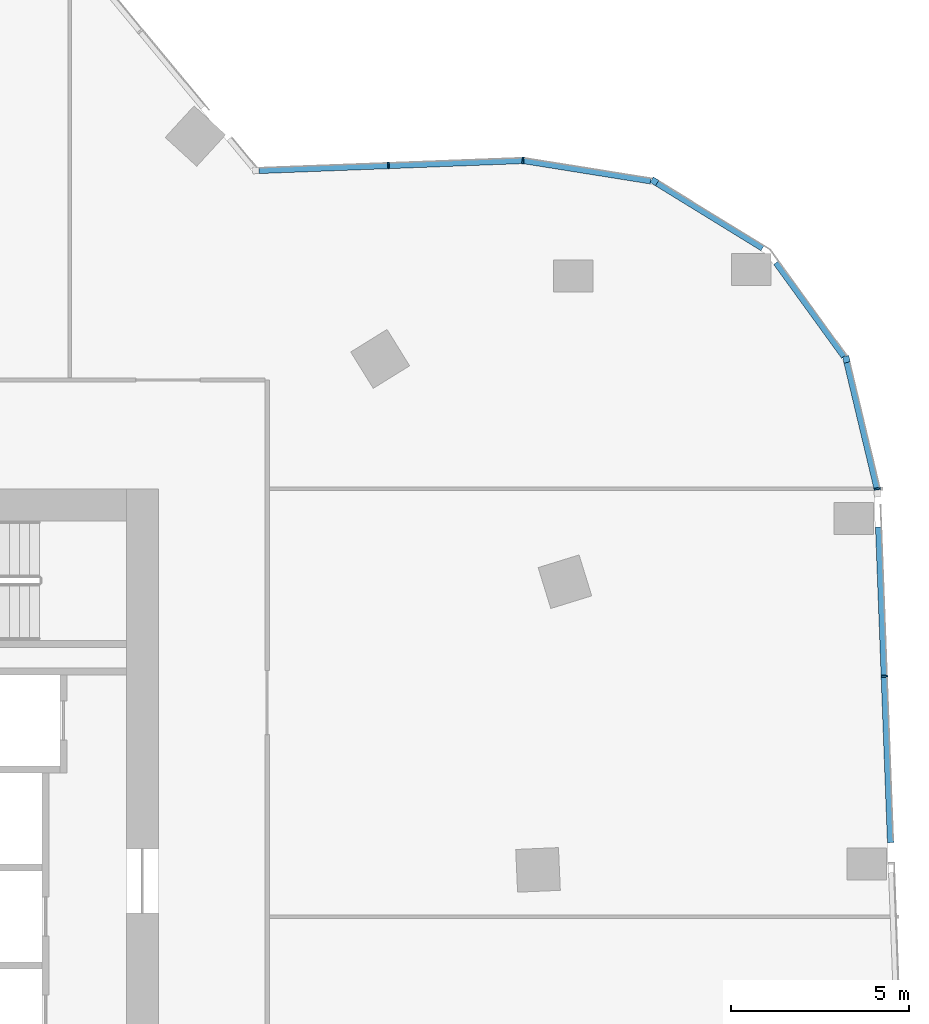
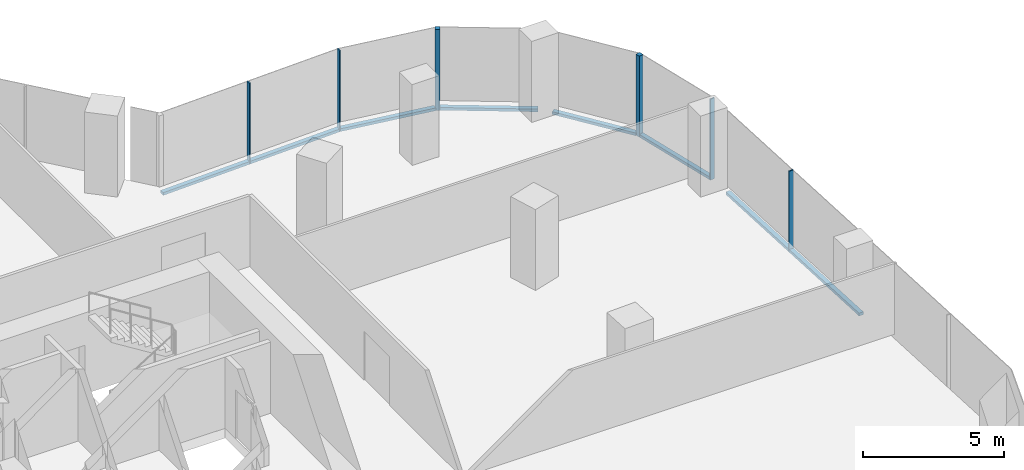
# One storey, part 12 of 24: 12 members, 6 elements without a shape of their own.
"""IFC4 building model written with IfcOpenShell, lengths in metres."""

import ifcopenshell
import ifcopenshell.guid

model = None  # the IFC model being written
_history = None  # IfcOwnerHistory: only IFC2X3 demands one
_inside = {}  # id of a spatial element -> (the spatial element, [elements in it])
_under = {}  # id of a project, library or spatial element -> (it, [spatial elements below it])
_declared = {}  # id of a project -> (the project, [libraries it declares])
_typed = {}  # id of a type object -> (the type object, [elements of that type])
_made_of = {}  # id of a material, layer set ... -> (it, [elements and type objects made of it])


def new_model(schema):
    """Start an empty IFC model of exactly this schema.

    Asked for "IFC4X3", IfcOpenShell would pick the latest addendum, in which some entities
    have other attributes; the version numbers below select the first issue.
    IFC2X3 requires an IfcOwnerHistory on every rooted entity: one is made here for all.
    """
    global model, _history
    if schema == "IFC4X3":
        model = ifcopenshell.file(schema_version=(4, 3, 0, 0))
    else:
        model = ifcopenshell.file(schema=schema)
    _inside.clear()
    _under.clear()
    _declared.clear()
    _typed.clear()
    _made_of.clear()
    _history = None
    if model.schema == "IFC2X3":
        org = make("IfcOrganization", Name="unknown")
        user = make(
            "IfcPersonAndOrganization",
            ThePerson=make("IfcPerson", FamilyName="unknown"),
            TheOrganization=org,
        )
        app = make(
            "IfcApplication",
            ApplicationDeveloper=org,
            Version="unknown",
            ApplicationFullName="unknown",
            ApplicationIdentifier="unknown",
        )
        _history = make(
            "IfcOwnerHistory",
            OwningUser=user,
            OwningApplication=app,
            ChangeAction="ADDED",
            CreationDate=0,
        )
    return model


def make(cls, **values):
    """One entity of the class cls with the attributes given. An attribute that is None is left unset."""
    return model.create_entity(
        cls, **{name: value for name, value in values.items() if value is not None}
    )


def rooted(cls, **values):
    """An entity with a GlobalId (a new one), such as an element, a storey or a relation."""
    return make(cls, GlobalId=ifcopenshell.guid.new(), OwnerHistory=_history, **values)


def si_unit(unit_type, name, prefix=None):
    """IfcSIUnit, for example si_unit("LENGTHUNIT", "METRE", prefix="MILLI")."""
    return make("IfcSIUnit", UnitType=unit_type, Prefix=prefix, Name=name)


def assignment(units):
    """IfcUnitAssignment: the units of a project."""
    return None if units is None else make("IfcUnitAssignment", Units=units)


def point(xyz):
    """IfcCartesianPoint."""
    return None if xyz is None else make("IfcCartesianPoint", Coordinates=xyz)


def direction(xyz):
    """IfcDirection."""
    return None if xyz is None else make("IfcDirection", DirectionRatios=xyz)


def frame(location, z_axis=None, x_axis=None):
    """IfcAxis2Placement3D, a coordinate frame: its origin and axes. An axis left out is left unset."""
    return make(
        "IfcAxis2Placement3D",
        Location=point(location),
        Axis=direction(z_axis),
        RefDirection=direction(x_axis),
    )


def frame_2d(location, x_axis=None):
    """IfcAxis2Placement2D, a coordinate frame in the plane: its origin and x axis."""
    return make(
        "IfcAxis2Placement2D", Location=point(location), RefDirection=direction(x_axis)
    )


def origin():
    """The frame at (0, 0, 0) with its axes left unset."""
    return frame((0.0, 0.0, 0.0))


def origin_2d():
    """The frame at (0, 0) in the plane with its x axis left unset."""
    return frame_2d((0.0, 0.0))


def place(relative_to, where):
    """IfcLocalPlacement: puts the frame where relative to a parent placement (None: the world)."""
    return make(
        "IfcLocalPlacement", PlacementRelTo=relative_to, RelativePlacement=where
    )


def context(
    kind, dimensions, precision=None, world=None, true_north=None, identifier=None
):
    """IfcGeometricRepresentationContext, for example the 3D "Model" context."""
    return make(
        "IfcGeometricRepresentationContext",
        ContextIdentifier=identifier,
        ContextType=kind,
        CoordinateSpaceDimension=dimensions,
        Precision=precision,
        WorldCoordinateSystem=world,
        TrueNorth=true_north,
    )


def subcontext(parent, identifier, kind, view, scale=None):
    """IfcGeometricRepresentationSubContext, for example "Body" below "Model"."""
    return make(
        "IfcGeometricRepresentationSubContext",
        ContextIdentifier=identifier,
        ContextType=kind,
        ParentContext=parent,
        TargetScale=scale,
        TargetView=view,
    )


def project(units=None, contexts=None):
    """IfcProject with its units and contexts."""
    return rooted(
        "IfcProject",
        Name="project",
        RepresentationContexts=contexts,
        UnitsInContext=assignment(units),
    )


def spatial(cls, under=None, at=None, **own):
    """A site, building, storey or space (cls), placed at a placement, below another one or the project."""
    s = rooted(cls, ObjectPlacement=at, **own)
    if under is not None:
        _under.setdefault(under.id(), (under, []))[1].append(s)
    return s


def profile(cls, at=None, kind="AREA", **sizes):
    """A parametric profile (cls). Its sizes go by their IFC names, for example OverallWidth=200.0."""
    return make(cls, ProfileType=kind, Position=at, **sizes)


def rectangle(**sizes):
    """IfcRectangleProfileDef."""
    return profile("IfcRectangleProfileDef", **sizes)


def extrude(swept, where, along, depth):
    """IfcExtrudedAreaSolid: the profile swept, set in the frame where, extruded along a direction by depth."""
    return make(
        "IfcExtrudedAreaSolid",
        SweptArea=swept,
        Position=where,
        ExtrudedDirection=direction(along),
        Depth=depth,
    )


def shape(context_of_items, identifier, shape_type, items):
    """IfcShapeRepresentation: the items that make up one representation, for example the "Body"."""
    return make(
        "IfcShapeRepresentation",
        ContextOfItems=context_of_items,
        RepresentationIdentifier=identifier,
        RepresentationType=shape_type,
        Items=items,
    )


def material(Name=None, Category=None):
    """IfcMaterial."""
    return make("IfcMaterial", Name=Name, Category=Category)


def material_profile(
    of_material, cross_section, Name=None, Category=None, Priority=None
):
    """IfcMaterialProfile: a cross section and its material."""
    return make(
        "IfcMaterialProfile",
        Name=Name,
        Material=of_material,
        Profile=cross_section,
        Priority=Priority,
        Category=Category,
    )


def profile_set(profiles, Name=None, composite=None):
    """IfcMaterialProfileSet."""
    return make(
        "IfcMaterialProfileSet",
        Name=Name,
        MaterialProfiles=profiles,
        CompositeProfile=composite,
    )


def made_of(thing, what):
    """Note that an element or type object is made of a material, layer set ...; save() writes the relation."""
    if what is not None:
        _made_of.setdefault(what.id(), (what, []))[1].append(thing)
    return thing


def type_object(cls, material=None, **own):
    """A type object (cls), such as IfcWallType, which elements share."""
    return made_of(rooted(cls, **own), material)


def element(
    cls,
    number,
    at=None,
    inside=None,
    cuts=None,
    type_object=None,
    material=None,
    context=None,
    identifier="Body",
    shape_type=None,
    held_by="IfcProductDefinitionShape",
    body=None,
    shapes=None,
    **own,
):
    """One element of the class cls, such as IfcWall. Its Tag is "e" and its number.

    at: its placement. inside: the storey or other place that contains it. cuts: it is an
    opening in that element (IfcRelVoidsElement). A single representation is given by context,
    identifier, shape_type and body (its items); several are given by shapes. held_by: the class
    of the entity that holds the representations. save() writes the other relations.
    """
    e = rooted(cls, Tag="e%d" % number, ObjectPlacement=at, **own)
    if body is not None:
        shapes = [shape(context, identifier, shape_type, body)]
    if shapes is not None:
        e.Representation = make(held_by, Representations=shapes)
    if inside is not None:
        _inside.setdefault(inside.id(), (inside, []))[1].append(e)
    if cuts is not None:
        rooted(
            "IfcRelVoidsElement", RelatingBuildingElement=cuts, RelatedOpeningElement=e
        )
    if type_object is not None:
        _typed.setdefault(type_object.id(), (type_object, []))[1].append(e)
    return made_of(e, material)


def aggregate(whole, parts):
    """IfcRelAggregates: a whole, such as a stair, and the parts it consists of."""
    return rooted("IfcRelAggregates", RelatingObject=whole, RelatedObjects=parts)


def save(model, path):
    """Write the relations noted so far, then the file.

    IfcRelAggregates (storeys below a building ...), IfcRelContainedInSpatialStructure (elements
    in a storey), IfcRelDefinesByType, IfcRelAssociatesMaterial and IfcRelDeclares: one each for
    every whole, place, type object, material and project.
    """
    for whole, parts in _under.values():
        aggregate(whole, parts)
    for where, things in _inside.values():
        rooted(
            "IfcRelContainedInSpatialStructure",
            RelatedElements=things,
            RelatingStructure=where,
        )
    for kind, things in _typed.values():
        rooted("IfcRelDefinesByType", RelatedObjects=things, RelatingType=kind)
    for what, things in _made_of.values():
        rooted("IfcRelAssociatesMaterial", RelatedObjects=things, RelatingMaterial=what)
    for by, libraries in _declared.values():
        rooted("IfcRelDeclares", RelatingContext=by, RelatedDefinitions=libraries)
    model.write(path)


model = new_model("IFC4")

# Units and contexts
model_context = context("Model", 3, precision=1e-05, world=origin(), true_north=direction((0.0, 1.0)))
body_context = subcontext(model_context, "Body", "Model", "MODEL_VIEW")
ifc_project = project(units=[si_unit("LENGTHUNIT", "METRE"), si_unit("AREAUNIT", "SQUARE_METRE"), si_unit("VOLUMEUNIT", "CUBIC_METRE"), si_unit("PLANEANGLEUNIT", "RADIAN"), si_unit("MASSUNIT", "GRAM", prefix="KILO")], contexts=[model_context])

# Site, building, storey
site_placement = place(None, origin())
site = spatial("IfcSite", under=ifc_project, at=site_placement, CompositionType="ELEMENT")
building_placement = place(site_placement, origin())
building = spatial("IfcBuilding", under=site, at=building_placement, Name="Orlundy Tower", CompositionType="ELEMENT")
storey_placement = place(building_placement, frame((0.0, 0.0, 174.10009765625)))
storey = spatial("IfcBuildingStorey", under=building, at=storey_placement, Name="L45", CompositionType="ELEMENT", Elevation=174.10009765625)

# Curtain wall, member
ifc_material_1 = material(Name="Aluminium bronze anodised", Category="aluminium")
curtain_wall_type = type_object("IfcCurtainWallType", Name="CW1 wall", PredefinedType="NOTDEFINED", material=ifc_material_1)
curtain_wall_1_placement = place(storey_placement, origin())
curtain_wall_1 = element("IfcCurtainWall", 1, at=curtain_wall_1_placement, inside=storey, type_object=curtain_wall_type, Name="CW1 run 08", PredefinedType="NOTDEFINED")
ifc_material_2 = material(Name="Aluminium bronze anodised", Category="aluminium")
ifc_material_profile_1 = material_profile(ifc_material_2, rectangle(XDim=0.179931640625, YDim=0.179931640625, at=origin_2d()), Name="CW1 corner post 180x180")
ifc_profile_set_1 = profile_set([ifc_material_profile_1], Name="Aluminium bronze anodised")
member_type_1 = type_object("IfcMemberType", Name="CW1 corner post 180x180", PredefinedType="MULLION", material=ifc_profile_set_1)
member_1_placement = place(storey_placement, frame((32.914794921875, 20.62109375, -0.420166015625), z_axis=(0.0, 0.0, 1.0), x_axis=(0.523946886645, 0.85175093776, 0.0)))
member_1 = element("IfcMember", 2, at=member_1_placement, type_object=member_type_1, Name="CW1 mullion 29", PredefinedType="MULLION", context=body_context, shape_type="SweptSolid", body=[
    extrude(rectangle(XDim=0.179931640625, YDim=0.179931640625, at=origin_2d()), origin(), (0.0, 0.0, 1.0), 3.5),
])

curtain_wall_2_placement = place(storey_placement, origin())
curtain_wall_2 = element("IfcCurtainWall", 3, at=curtain_wall_2_placement, inside=storey, type_object=curtain_wall_type, Name="CW1 run 010", PredefinedType="NOTDEFINED")
member_2_placement = place(storey_placement, frame((38.29833984375, 15.62939453125, -0.420166015625), z_axis=(0.0, 0.0, 1.0), x_axis=(0.972704793959, 0.23204608122, 0.0)))
member_2 = element("IfcMember", 4, at=member_2_placement, type_object=member_type_1, Name="CW1 mullion 31", PredefinedType="MULLION", context=body_context, shape_type="SweptSolid", body=[
    extrude(rectangle(XDim=0.179931640625, YDim=0.179931640625, at=origin_2d()), origin(), (0.0, 0.0, 1.0), 3.5),
])

curtain_wall_3_placement = place(storey_placement, origin())
curtain_wall_3 = element("IfcCurtainWall", 5, at=curtain_wall_3_placement, inside=storey, type_object=curtain_wall_type, Name="CW1 run 06", PredefinedType="NOTDEFINED")
ifc_material_3 = material(Name="Aluminium bronze anodised", Category="aluminium")
ifc_material_profile_2 = material_profile(ifc_material_3, rectangle(XDim=0.179931640625, YDim=0.050048828125, at=origin_2d()), Name="CW1 mullion 50x180")
ifc_profile_set_2 = profile_set([ifc_material_profile_2], Name="Aluminium bronze anodised")
member_type_2 = type_object("IfcMemberType", Name="CW1 mullion 50x180", PredefinedType="MULLION", material=ifc_profile_set_2)
member_3_placement = place(storey_placement, frame((25.455078125, 21.0673828125, -0.420166015625), z_axis=(0.0, 0.0, 1.0), x_axis=(-0.037836578056, 0.99928394031, 0.0)))
member_3 = element("IfcMember", 6, at=member_3_placement, type_object=member_type_2, Name="CW1 mullion 27", PredefinedType="MULLION", context=body_context, shape_type="SweptSolid", body=[
    extrude(rectangle(XDim=0.179931640625, YDim=0.050048828125, at=origin_2d()), origin(), (0.0, 0.0, 1.0), 3.5),
])

curtain_wall_4_placement = place(storey_placement, origin())
curtain_wall_4 = element("IfcCurtainWall", 7, at=curtain_wall_4_placement, inside=storey, type_object=curtain_wall_type, Name="CW1 run 07", PredefinedType="NOTDEFINED")
member_4_placement = place(storey_placement, frame((29.2275390625, 21.210205078125, -0.420166015625), z_axis=(0.0, 0.0, 1.0), x_axis=(0.060267073415, 0.998182287892, 0.0)))
member_4 = element("IfcMember", 8, at=member_4_placement, type_object=member_type_2, Name="CW1 mullion 28", PredefinedType="MULLION", context=body_context, shape_type="SweptSolid", body=[
    extrude(rectangle(XDim=0.179931640625, YDim=0.050048828125, at=origin_2d()), origin(), (0.0, 0.0, 1.0), 3.5),
])

# Curtain wall, members
curtain_wall_5_placement = place(storey_placement, origin())
curtain_wall_5 = element("IfcCurtainWall", 9, at=curtain_wall_5_placement, inside=storey, type_object=curtain_wall_type, Name="CW1 run 011", PredefinedType="NOTDEFINED")
member_5_placement = place(storey_placement, frame((39.16455078125, 11.998291015625, -0.420166015625), z_axis=(0.0, 0.0, 1.0), x_axis=(0.990766302188, 0.135580730372, 0.0)))
member_5 = element("IfcMember", 10, at=member_5_placement, type_object=member_type_2, Name="CW1 mullion 32", PredefinedType="MULLION", context=body_context, shape_type="SweptSolid", body=[
    extrude(rectangle(XDim=0.179931640625, YDim=0.050048828125, at=origin_2d()), origin(), (0.0, 0.0, 1.0), 3.5),
])
member_6_placement = place(storey_placement, frame((39.363525390625, 6.7431640625, -0.420166015625), z_axis=(0.0, 0.0, 1.0), x_axis=(0.999284965389, 0.03780949547, 0.0)))
member_6 = element("IfcMember", 11, at=member_6_placement, type_object=member_type_2, Name="CW1 mullion 33", PredefinedType="MULLION", context=body_context, shape_type="SweptSolid", body=[
    extrude(rectangle(XDim=0.179931640625, YDim=0.050048828125, at=origin_2d()), origin(), (0.0, 0.0, 1.0), 3.5),
])

# Member
ifc_material_4 = material(Name="Aluminium bronze anodised", Category="aluminium")
ifc_material_profile_3 = material_profile(ifc_material_4, rectangle(XDim=0.179931640625, YDim=0.1201171875, at=origin_2d()), Name="CW1 transom 180x120")
ifc_profile_set_3 = profile_set([ifc_material_profile_3], Name="Aluminium bronze anodised")
member_type_3 = type_object("IfcMemberType", Name="CW1 transom 180x120", PredefinedType="USERDEFINED", material=ifc_profile_set_3)
member_7_placement = place(storey_placement, frame((21.825927734375, 20.929931640625, -0.360107421875), z_axis=(0.999283957256, 0.037836130506, 0.0), x_axis=(-0.037836130506, 0.999283957256, 0.0)))
member_7 = element("IfcMember", 12, at=member_7_placement, type_object=member_type_3, Name="CW1 transom", ObjectType="TRANSOM", PredefinedType="USERDEFINED", context=body_context, shape_type="SweptSolid", body=[
    extrude(rectangle(XDim=0.179931640625, YDim=0.1201171875, at=origin_2d()), origin(), (0.0, 0.0, 1.0), 7.3818359375),
])

aggregate(curtain_wall_3, [member_3, member_7])

member_8_placement = place(storey_placement, frame((29.252197265625, 21.206298828125, -0.360107421875), z_axis=(0.987475198306, -0.157774309477, 0.0), x_axis=(0.157774309477, 0.987475198306, 0.0)))
member_8 = element("IfcMember", 13, at=member_8_placement, type_object=member_type_3, Name="CW1 transom", ObjectType="TRANSOM", PredefinedType="USERDEFINED", context=body_context, shape_type="SweptSolid", body=[
    extrude(rectangle(XDim=0.179931640625, YDim=0.1201171875, at=origin_2d()), origin(), (0.0, 0.0, 1.0), 3.611572265625),
])

aggregate(curtain_wall_4, [member_4, member_8])

member_9_placement = place(storey_placement, frame((32.991455078125, 20.573974609375, -0.360107421875), z_axis=(0.851737899399, -0.523968081783, 0.0), x_axis=(0.523968081783, 0.851737899399, 0.0)))
member_9 = element("IfcMember", 14, at=member_9_placement, type_object=member_type_3, Name="CW1 transom", ObjectType="TRANSOM", PredefinedType="USERDEFINED", context=body_context, shape_type="SweptSolid", body=[
    extrude(rectangle(XDim=0.179931640625, YDim=0.1201171875, at=origin_2d()), origin(), (0.0, 0.0, 1.0), 3.4755859375),
])

aggregate(curtain_wall_1, [member_1, member_9])

# Curtain wall, member
curtain_wall_6_placement = place(storey_placement, origin())
curtain_wall_6 = element("IfcCurtainWall", 15, at=curtain_wall_6_placement, inside=storey, type_object=curtain_wall_type, Name="CW1 run 09", PredefinedType="NOTDEFINED")
member_10_placement = place(storey_placement, frame((36.33203125, 18.34326171875, -0.360107421875), z_axis=(0.586725338284, -0.809786007174, 0.0), x_axis=(0.809786007174, 0.586725338284, 0.0)))
member_10 = element("IfcMember", 16, at=member_10_placement, type_object=member_type_3, Name="CW1 transom", ObjectType="TRANSOM", PredefinedType="USERDEFINED", context=body_context, shape_type="SweptSolid", body=[
    extrude(rectangle(XDim=0.179931640625, YDim=0.1201171875, at=origin_2d()), origin(), (0.0, 0.0, 1.0), 3.25390625),
])
aggregate(curtain_wall_6, [member_10])

# Member
member_11_placement = place(storey_placement, frame((38.3193359375, 15.541748046875, -0.360107421875), z_axis=(0.232009772326, -0.972713455004, 0.0), x_axis=(0.972713455004, 0.232009772326, 0.0)))
member_11 = element("IfcMember", 17, at=member_11_placement, type_object=member_type_3, Name="CW1 transom", ObjectType="TRANSOM", PredefinedType="USERDEFINED", context=body_context, shape_type="SweptSolid", body=[
    extrude(rectangle(XDim=0.179931640625, YDim=0.1201171875, at=origin_2d()), origin(), (0.0, 0.0, 1.0), 3.61767578125),
])

aggregate(curtain_wall_2, [member_2, member_11])

member_12_placement = place(storey_placement, frame((39.205078125, 10.930419921875, -0.360107421875), z_axis=(0.037809145603, -0.999284978627, 0.0), x_axis=(0.999284978627, 0.037809145603, 0.0)))
member_12 = element("IfcMember", 18, at=member_12_placement, type_object=member_type_3, Name="CW1 transom", ObjectType="TRANSOM", PredefinedType="USERDEFINED", context=body_context, shape_type="SweptSolid", body=[
    extrude(rectangle(XDim=0.179931640625, YDim=0.1201171875, at=origin_2d()), origin(), (0.0, 0.0, 1.0), 8.86572265625),
])

aggregate(curtain_wall_5, [member_5, member_6, member_12])

save(model, "model.ifc")
